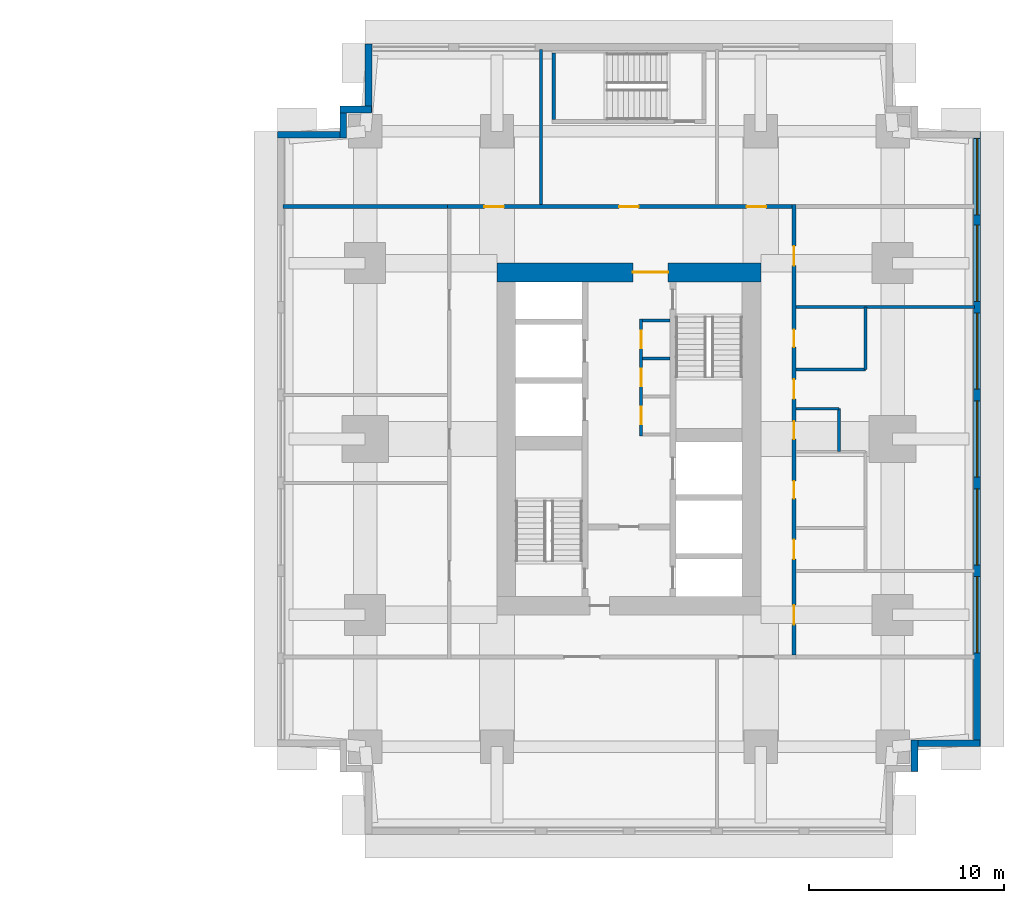
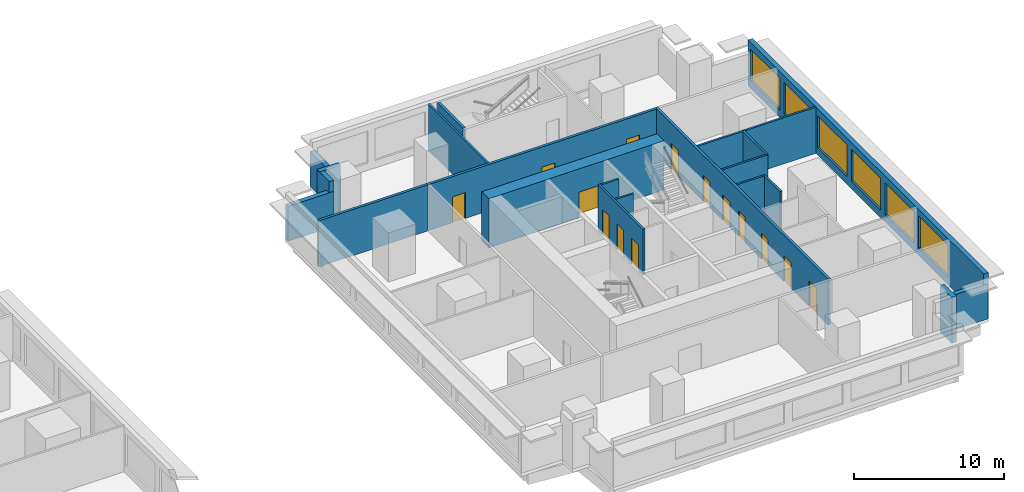
# One storey, part 7 of 11: 21 walls, 14 doors, 6 windows, 20 openings.
"""IFC4 building model written with IfcOpenShell, lengths in metres."""

from ifc_helpers import new_model, si_unit, direction, frame, frame_2d, origin, place, context, subcontext, project, spatial, rectangle, extrude, material, layer, layer_set, type_object, element, fill, save


model = new_model("IFC4")

# Units and contexts
model_context = context("Model", 3, precision=1e-05, world=origin(), true_north=direction((0.0, 1.0)))
body_context = subcontext(model_context, "Body", "Model", "MODEL_VIEW")
ifc_project = project(units=[si_unit("LENGTHUNIT", "METRE"), si_unit("AREAUNIT", "SQUARE_METRE"), si_unit("VOLUMEUNIT", "CUBIC_METRE"), si_unit("PLANEANGLEUNIT", "RADIAN"), si_unit("MASSUNIT", "GRAM", prefix="KILO")], contexts=[model_context])

# Site, building, storey
site_placement = place(None, origin())
site = spatial("IfcSite", under=ifc_project, at=site_placement, CompositionType="ELEMENT")
building_placement = place(site_placement, origin())
building = spatial("IfcBuilding", under=site, at=building_placement, Name="Namib Vertical Campus", CompositionType="ELEMENT")
storey_placement = place(building_placement, frame((0.0, 0.0, 49.0)))
storey = spatial("IfcBuildingStorey", under=building, at=storey_placement, Name="L11", CompositionType="ELEMENT", Elevation=49.0)

# Wall, opening, door
ifc_material_1 = material(Name="Concrete C60/75", Category="concrete")
ifc_layer_1 = layer(ifc_material_1, 0.949951171875)
ifc_layer_set_1 = layer_set([ifc_layer_1], Name="Concrete C60/75")
wall_type_1 = type_object("IfcWallType", Name="Core wall 950", PredefinedType="SHEAR", material=ifc_layer_set_1)
wall_1_placement = place(storey_placement, frame((87.75, 28.77490234375, 0.0), z_axis=(0.0, 0.0, 1.0), x_axis=(-1.0, 0.0, 0.0)))
wall_1 = element("IfcWall", 1, at=wall_1_placement, inside=storey, type_object=wall_type_1, Name="Core wall B L11 3", PredefinedType="SHEAR", context=body_context, shape_type="SweptSolid", body=[
    extrude(rectangle(XDim=13.5, YDim=0.949951171875, at=frame_2d((6.75, 0.0))), origin(), (0.0, 0.0, 1.0), 4.0),
])
opening_1_placement = place(wall_1_placement, frame((4.75, 0.0, 0.0)))
opening_1 = element("IfcOpeningElement", 2, at=opening_1_placement, cuts=wall_1, Name="Opening FD2", PredefinedType="OPENING", context=body_context, shape_type="SweptSolid", body=[
    extrude(rectangle(XDim=1.800048828125, YDim=2.10009765625, at=frame_2d((0.89990234375, 1.050048828125))), frame((0.0, 0.48486328125, 0.0), z_axis=(0.0, -1.0, 0.0), x_axis=(1.0, 0.0, 0.0)), (0.0, 0.0, 1.0), 0.969970703125),
])
ifc_material_2 = material(Name="Steel fire door", Category="steel")
door_type_1 = type_object("IfcDoorType", Name="Fire door double 1800x2100", OperationType="DOUBLE_DOOR_SINGLE_SWING", PredefinedType="DOOR", material=ifc_material_2)
door_1_placement = place(opening_1_placement, origin())
door_1 = element("IfcDoor", 3, at=door_1_placement, inside=storey, type_object=door_type_1, Name="Lift lobby door FD2 B L11", OperationType="DOUBLE_DOOR_SINGLE_SWING", OverallHeight=2.10009765625, OverallWidth=1.800048828125, PredefinedType="DOOR", context=body_context, shape_type="SweptSolid", body=[
    extrude(rectangle(XDim=1.800048828125, YDim=2.10009765625, at=frame_2d((0.89990234375, 1.050048828125))), frame((0.0, 0.02490234375, 0.0), z_axis=(0.0, -1.0, 0.0), x_axis=(1.0, 0.0, 0.0)), (0.0, 0.0, 1.0), 0.050048828125),
])
fill(opening_1, door_1)

# Wall, openings, doors
ifc_material_3 = material(Name="Concrete masonry", Category="masonry")
ifc_layer_2 = layer(ifc_material_3, 0.199951171875)
ifc_layer_set_2 = layer_set([ifc_layer_2], Name="Corridor wall 200")
wall_type_2 = type_object("IfcWallType", Name="Corridor wall 200", PredefinedType="SOLIDWALL", material=ifc_layer_set_2)
wall_2_placement = place(storey_placement, frame((89.449951171875, 9.199951171875, 0.0), z_axis=(0.0, 0.0, 1.0), x_axis=(0.0, 1.0, 0.0)))
wall_2 = element("IfcWall", 4, at=wall_2_placement, inside=storey, type_object=wall_type_2, Name="Corridor wall B L11 CE", PredefinedType="SOLIDWALL", context=body_context, shape_type="SweptSolid", body=[
    extrude(rectangle(XDim=23.050048828125, YDim=0.199951171875, at=frame_2d((11.52490234375, 0.0))), origin(), (0.0, 0.0, 1.0), 3.75),
])
opening_2_placement = place(wall_2_placement, frame((1.550048828125, 0.0, 0.0)))
opening_2 = element("IfcOpeningElement", 5, at=opening_2_placement, cuts=wall_2, Name="Opening CD1", PredefinedType="OPENING", context=body_context, shape_type="SweptSolid", body=[
    extrude(rectangle(XDim=1.0, YDim=2.10009765625, at=frame_2d((0.5, 1.050048828125))), frame((0.0, 0.10986328125, 0.0), z_axis=(0.0, -1.0, 0.0), x_axis=(1.0, 0.0, 0.0)), (0.0, 0.0, 1.0), 0.219970703125),
])
opening_3_placement = place(wall_2_placement, frame((4.89990234375, 0.0, 0.0)))
opening_3 = element("IfcOpeningElement", 6, at=opening_3_placement, cuts=wall_2, Name="Opening CD1", PredefinedType="OPENING", context=body_context, shape_type="SweptSolid", body=[
    extrude(rectangle(XDim=1.0, YDim=2.10009765625, at=frame_2d((0.5, 1.050048828125))), frame((0.0, 0.10986328125, 0.0), z_axis=(0.0, -1.0, 0.0), x_axis=(1.0, 0.0, 0.0)), (0.0, 0.0, 1.0), 0.219970703125),
])
opening_4_placement = place(wall_2_placement, frame((8.0, 0.0, 0.0)))
opening_4 = element("IfcOpeningElement", 7, at=opening_4_placement, cuts=wall_2, Name="Opening CD3", PredefinedType="OPENING", context=body_context, shape_type="SweptSolid", body=[
    extrude(rectangle(XDim=0.89990234375, YDim=2.10009765625, at=frame_2d((0.449951171875, 1.050048828125))), frame((0.0, 0.10986328125, 0.0), z_axis=(0.0, -1.0, 0.0), x_axis=(1.0, 0.0, 0.0)), (0.0, 0.0, 1.0), 0.219970703125),
])
opening_5_placement = place(wall_2_placement, frame((11.050048828125, 0.0, 0.0)))
opening_5 = element("IfcOpeningElement", 8, at=opening_5_placement, cuts=wall_2, Name="Opening CD3", PredefinedType="OPENING", context=body_context, shape_type="SweptSolid", body=[
    extrude(rectangle(XDim=0.89990234375, YDim=2.10009765625, at=frame_2d((0.449951171875, 1.050048828125))), frame((0.0, 0.10986328125, 0.0), z_axis=(0.0, -1.0, 0.0), x_axis=(1.0, 0.0, 0.0)), (0.0, 0.0, 1.0), 0.219970703125),
])
opening_6_placement = place(wall_2_placement, frame((15.75, 0.0, 0.0)))
opening_6 = element("IfcOpeningElement", 9, at=opening_6_placement, cuts=wall_2, Name="Opening CD3", PredefinedType="OPENING", context=body_context, shape_type="SweptSolid", body=[
    extrude(rectangle(XDim=0.89990234375, YDim=2.10009765625, at=frame_2d((0.449951171875, 1.050048828125))), frame((0.0, 0.10986328125, 0.0), z_axis=(0.0, -1.0, 0.0), x_axis=(1.0, 0.0, 0.0)), (0.0, 0.0, 1.0), 0.219970703125),
])
opening_7_placement = place(wall_2_placement, frame((13.10009765625, 0.0, 0.0)))
opening_7 = element("IfcOpeningElement", 10, at=opening_7_placement, cuts=wall_2, Name="Opening CD1", PredefinedType="OPENING", context=body_context, shape_type="SweptSolid", body=[
    extrude(rectangle(XDim=1.0, YDim=2.10009765625, at=frame_2d((0.5, 1.050048828125))), frame((0.0, 0.10986328125, 0.0), z_axis=(0.0, -1.0, 0.0), x_axis=(1.0, 0.0, 0.0)), (0.0, 0.0, 1.0), 0.219970703125),
])
opening_8_placement = place(wall_2_placement, frame((19.925048828125, 0.0, 0.0)))
opening_8 = element("IfcOpeningElement", 11, at=opening_8_placement, cuts=wall_2, Name="Opening CD1", PredefinedType="OPENING", context=body_context, shape_type="SweptSolid", body=[
    extrude(rectangle(XDim=1.0, YDim=2.10009765625, at=frame_2d((0.5, 1.050048828125))), frame((0.0, 0.10986328125, 0.0), z_axis=(0.0, -1.0, 0.0), x_axis=(1.0, 0.0, 0.0)), (0.0, 0.0, 1.0), 0.219970703125),
])
ifc_material_4 = material(Name="Timber fire door leaf", Category="wood")
door_type_2 = type_object("IfcDoorType", Name="Corridor door 1000x2100 20 min", OperationType="SINGLE_SWING_LEFT", PredefinedType="DOOR", material=ifc_material_4)
door_2_placement = place(opening_2_placement, frame((1.0, 0.0, 0.0), z_axis=(0.0, 0.0, 1.0), x_axis=(-1.0, 0.0, 0.0)))
door_2 = element("IfcDoor", 12, at=door_2_placement, inside=storey, type_object=door_type_2, Name="Door CD1 B11-03", OperationType="SINGLE_SWING_RIGHT", OverallHeight=2.10009765625, OverallWidth=1.0, PredefinedType="DOOR", context=body_context, shape_type="SweptSolid", body=[
    extrude(rectangle(XDim=1.0, YDim=2.10009765625, at=frame_2d((0.5, 1.050048828125))), frame((0.0, 0.02490234375, 0.0), z_axis=(0.0, -1.0, 0.0), x_axis=(1.0, 0.0, 0.0)), (0.0, 0.0, 1.0), 0.050048828125),
])
fill(opening_2, door_2)
door_3_placement = place(opening_3_placement, frame((1.0, 0.0, 0.0), z_axis=(0.0, 0.0, 1.0), x_axis=(-1.0, 0.0, 0.0)))
door_3 = element("IfcDoor", 13, at=door_3_placement, inside=storey, type_object=door_type_2, Name="Door CD1 B11-04", OperationType="SINGLE_SWING_RIGHT", OverallHeight=2.10009765625, OverallWidth=1.0, PredefinedType="DOOR", context=body_context, shape_type="SweptSolid", body=[
    extrude(rectangle(XDim=1.0, YDim=2.10009765625, at=frame_2d((0.5, 1.050048828125))), frame((0.0, 0.02490234375, 0.0), z_axis=(0.0, -1.0, 0.0), x_axis=(1.0, 0.0, 0.0)), (0.0, 0.0, 1.0), 0.050048828125),
])
fill(opening_3, door_3)
door_4_placement = place(opening_7_placement, frame((1.0, 0.0, 0.0), z_axis=(0.0, 0.0, 1.0), x_axis=(-1.0, 0.0, 0.0)))
door_4 = element("IfcDoor", 14, at=door_4_placement, inside=storey, type_object=door_type_2, Name="Door CD1 B11-08", OperationType="SINGLE_SWING_RIGHT", OverallHeight=2.10009765625, OverallWidth=1.0, PredefinedType="DOOR", context=body_context, shape_type="SweptSolid", body=[
    extrude(rectangle(XDim=1.0, YDim=2.10009765625, at=frame_2d((0.5, 1.050048828125))), frame((0.0, 0.02490234375, 0.0), z_axis=(0.0, -1.0, 0.0), x_axis=(1.0, 0.0, 0.0)), (0.0, 0.0, 1.0), 0.050048828125),
])
fill(opening_7, door_4)
door_5_placement = place(opening_8_placement, frame((1.0, 0.0, 0.0), z_axis=(0.0, 0.0, 1.0), x_axis=(-1.0, 0.0, 0.0)))
door_5 = element("IfcDoor", 15, at=door_5_placement, inside=storey, type_object=door_type_2, Name="Door CD1 B11-09", OperationType="SINGLE_SWING_RIGHT", OverallHeight=2.10009765625, OverallWidth=1.0, PredefinedType="DOOR", context=body_context, shape_type="SweptSolid", body=[
    extrude(rectangle(XDim=1.0, YDim=2.10009765625, at=frame_2d((0.5, 1.050048828125))), frame((0.0, 0.02490234375, 0.0), z_axis=(0.0, -1.0, 0.0), x_axis=(1.0, 0.0, 0.0)), (0.0, 0.0, 1.0), 0.050048828125),
])
fill(opening_8, door_5)
ifc_material_5 = material(Name="Timber fire door leaf", Category="wood")
door_type_3 = type_object("IfcDoorType", Name="Corridor toilet door 900x2100 20 min", OperationType="SINGLE_SWING_LEFT", PredefinedType="DOOR", material=ifc_material_5)
door_6_placement = place(opening_4_placement, frame((0.89990234375, 0.0, 0.0), z_axis=(0.0, 0.0, 1.0), x_axis=(-1.0, 0.0, 0.0)))
door_6 = element("IfcDoor", 16, at=door_6_placement, inside=storey, type_object=door_type_3, Name="Door CD3 B11-05", OperationType="SINGLE_SWING_RIGHT", OverallHeight=2.10009765625, OverallWidth=0.89990234375, PredefinedType="DOOR", context=body_context, shape_type="SweptSolid", body=[
    extrude(rectangle(XDim=0.89990234375, YDim=2.10009765625, at=frame_2d((0.449951171875, 1.050048828125))), frame((0.0, 0.02490234375, 0.0), z_axis=(0.0, -1.0, 0.0), x_axis=(1.0, 0.0, 0.0)), (0.0, 0.0, 1.0), 0.050048828125),
])
fill(opening_4, door_6)
door_7_placement = place(opening_5_placement, frame((0.89990234375, 0.0, 0.0), z_axis=(0.0, 0.0, 1.0), x_axis=(-1.0, 0.0, 0.0)))
door_7 = element("IfcDoor", 17, at=door_7_placement, inside=storey, type_object=door_type_3, Name="Door CD3 B11-06", OperationType="SINGLE_SWING_RIGHT", OverallHeight=2.10009765625, OverallWidth=0.89990234375, PredefinedType="DOOR", context=body_context, shape_type="SweptSolid", body=[
    extrude(rectangle(XDim=0.89990234375, YDim=2.10009765625, at=frame_2d((0.449951171875, 1.050048828125))), frame((0.0, 0.02490234375, 0.0), z_axis=(0.0, -1.0, 0.0), x_axis=(1.0, 0.0, 0.0)), (0.0, 0.0, 1.0), 0.050048828125),
])
fill(opening_5, door_7)
door_8_placement = place(opening_6_placement, frame((0.89990234375, 0.0, 0.0), z_axis=(0.0, 0.0, 1.0), x_axis=(-1.0, 0.0, 0.0)))
door_8 = element("IfcDoor", 18, at=door_8_placement, inside=storey, type_object=door_type_3, Name="Door CD3 B11-07", OperationType="SINGLE_SWING_RIGHT", OverallHeight=2.10009765625, OverallWidth=0.89990234375, PredefinedType="DOOR", context=body_context, shape_type="SweptSolid", body=[
    extrude(rectangle(XDim=0.89990234375, YDim=2.10009765625, at=frame_2d((0.449951171875, 1.050048828125))), frame((0.0, 0.02490234375, 0.0), z_axis=(0.0, -1.0, 0.0), x_axis=(1.0, 0.0, 0.0)), (0.0, 0.0, 1.0), 0.050048828125),
])
fill(opening_6, door_8)

wall_3_placement = place(storey_placement, frame((89.35009765625, 32.14990234375, 0.0), z_axis=(0.0, 0.0, 1.0), x_axis=(-1.0, 0.0, 0.0)))
wall_3 = element("IfcWall", 19, at=wall_3_placement, inside=storey, type_object=wall_type_2, Name="Corridor wall B L11 CN", PredefinedType="SOLIDWALL", context=body_context, shape_type="SweptSolid", body=[
    extrude(rectangle(XDim=17.650146484375, YDim=0.199951171875, at=frame_2d((8.8251953125, 0.0))), origin(), (0.0, 0.0, 1.0), 3.75),
])
opening_9_placement = place(wall_3_placement, frame((14.75, 0.0, 0.0)))
opening_9 = element("IfcOpeningElement", 20, at=opening_9_placement, cuts=wall_3, Name="Opening CD1", PredefinedType="OPENING", context=body_context, shape_type="SweptSolid", body=[
    extrude(rectangle(XDim=1.0, YDim=2.10009765625, at=frame_2d((0.5, 1.050048828125))), frame((0.0, 0.10986328125, 0.0), z_axis=(0.0, -1.0, 0.0), x_axis=(1.0, 0.0, 0.0)), (0.0, 0.0, 1.0), 0.219970703125),
])
opening_10_placement = place(wall_3_placement, frame((7.85009765625, 0.0, 0.0)))
opening_10 = element("IfcOpeningElement", 21, at=opening_10_placement, cuts=wall_3, Name="Opening CD1", PredefinedType="OPENING", context=body_context, shape_type="SweptSolid", body=[
    extrude(rectangle(XDim=1.0, YDim=2.10009765625, at=frame_2d((0.5, 1.050048828125))), frame((0.0, 0.10986328125, 0.0), z_axis=(0.0, -1.0, 0.0), x_axis=(1.0, 0.0, 0.0)), (0.0, 0.0, 1.0), 0.219970703125),
])
opening_11_placement = place(wall_3_placement, frame((1.324951171875, 0.0, 0.0)))
opening_11 = element("IfcOpeningElement", 22, at=opening_11_placement, cuts=wall_3, Name="Opening CD1", PredefinedType="OPENING", context=body_context, shape_type="SweptSolid", body=[
    extrude(rectangle(XDim=1.0, YDim=2.10009765625, at=frame_2d((0.5, 1.050048828125))), frame((0.0, 0.10986328125, 0.0), z_axis=(0.0, -1.0, 0.0), x_axis=(1.0, 0.0, 0.0)), (0.0, 0.0, 1.0), 0.219970703125),
])
door_9_placement = place(opening_9_placement, frame((1.0, 0.0, 0.0), z_axis=(0.0, 0.0, 1.0), x_axis=(-1.0, 0.0, 0.0)))
door_9 = element("IfcDoor", 23, at=door_9_placement, inside=storey, type_object=door_type_2, Name="Door CD1 B11-10", OperationType="SINGLE_SWING_RIGHT", OverallHeight=2.10009765625, OverallWidth=1.0, PredefinedType="DOOR", context=body_context, shape_type="SweptSolid", body=[
    extrude(rectangle(XDim=1.0, YDim=2.10009765625, at=frame_2d((0.5, 1.050048828125))), frame((0.0, 0.02490234375, 0.0), z_axis=(0.0, -1.0, 0.0), x_axis=(1.0, 0.0, 0.0)), (0.0, 0.0, 1.0), 0.050048828125),
])
fill(opening_9, door_9)
door_10_placement = place(opening_10_placement, frame((1.0, 0.0, 0.0), z_axis=(0.0, 0.0, 1.0), x_axis=(-1.0, 0.0, 0.0)))
door_10 = element("IfcDoor", 24, at=door_10_placement, inside=storey, type_object=door_type_2, Name="Door CD1 B11-11", OperationType="SINGLE_SWING_RIGHT", OverallHeight=2.10009765625, OverallWidth=1.0, PredefinedType="DOOR", context=body_context, shape_type="SweptSolid", body=[
    extrude(rectangle(XDim=1.0, YDim=2.10009765625, at=frame_2d((0.5, 1.050048828125))), frame((0.0, 0.02490234375, 0.0), z_axis=(0.0, -1.0, 0.0), x_axis=(1.0, 0.0, 0.0)), (0.0, 0.0, 1.0), 0.050048828125),
])
fill(opening_10, door_10)
door_11_placement = place(opening_11_placement, frame((1.0, 0.0, 0.0), z_axis=(0.0, 0.0, 1.0), x_axis=(-1.0, 0.0, 0.0)))
door_11 = element("IfcDoor", 25, at=door_11_placement, inside=storey, type_object=door_type_2, Name="Door CD1 B11-12", OperationType="SINGLE_SWING_LEFT", OverallHeight=2.10009765625, OverallWidth=1.0, PredefinedType="DOOR", context=body_context, shape_type="SweptSolid", body=[
    extrude(rectangle(XDim=1.0, YDim=2.10009765625, at=frame_2d((0.5, 1.050048828125))), frame((0.0, 0.02490234375, 0.0), z_axis=(0.0, -1.0, 0.0), x_axis=(1.0, 0.0, 0.0)), (0.0, 0.0, 1.0), 0.050048828125),
])
fill(opening_11, door_11)

# Walls
wall_4_placement = place(storey_placement, frame((63.300048828125, 32.14990234375, 0.0), z_axis=(0.0, 0.0, 1.0), x_axis=(1.0, 0.0, 0.0)))
element("IfcWall", 26, at=wall_4_placement, inside=storey, type_object=wall_type_2, Name="Partition B L11 BNW", PredefinedType="SOLIDWALL", context=body_context, shape_type="SweptSolid", body=[
    extrude(rectangle(XDim=8.39990234375, YDim=0.199951171875, at=frame_2d((4.199951171875, 0.0))), origin(), (0.0, 0.0, 1.0), 3.75),
])
ifc_material_6 = material(Name="Concrete C40/50", Category="concrete")
ifc_layer_3 = layer(ifc_material_6, 0.35009765625)
ifc_layer_set_3 = layer_set([ifc_layer_3], Name="Concrete C40/50")
wall_type_3 = type_object("IfcWallType", Name="External wall 350 bush-hammered concrete", PredefinedType="STANDARD", material=ifc_layer_set_3)
wall_5_placement = place(storey_placement, frame((95.625, 3.219970703125, 0.0), z_axis=(0.0, 0.0, 1.0), x_axis=(0.0, 1.0, 0.0)))
element("IfcWall", 27, at=wall_5_placement, inside=storey, type_object=wall_type_3, Name="External wall L11 F04", PredefinedType="STANDARD", context=body_context, shape_type="SweptSolid", body=[
    extrude(rectangle(XDim=1.610107421875, YDim=0.35009765625, at=frame_2d((0.80517578125, 0.0))), origin(), (0.0, 0.0, 1.0), 3.75),
])
wall_6_placement = place(storey_placement, frame((95.469970703125, 4.675048828125, 0.0), z_axis=(0.0, 0.0, 1.0), x_axis=(1.0, 0.0, 0.0)))
element("IfcWall", 28, at=wall_6_placement, inside=storey, type_object=wall_type_3, Name="External wall L11 F05", PredefinedType="STANDARD", context=body_context, shape_type="SweptSolid", body=[
    extrude(rectangle(XDim=3.510009765625, YDim=0.35009765625, at=frame_2d((1.7548828125, 0.0))), origin(), (0.0, 0.0, 1.0), 2.85009765625),
])

# Wall, openings, windows
wall_7_placement = place(storey_placement, frame((98.824951171875, 4.52001953125, 0.0), z_axis=(0.0, 0.0, 1.0), x_axis=(0.0, 1.0, 0.0)))
wall_7 = element("IfcWall", 29, at=wall_7_placement, inside=storey, type_object=wall_type_3, Name="External wall L11 F06", PredefinedType="STANDARD", context=body_context, shape_type="SweptSolid", body=[
    extrude(rectangle(XDim=31.4599609375, YDim=0.35009765625, at=frame_2d((15.72998046875, 0.0))), origin(), (0.0, 0.0, 1.0), 3.75),
])
opening_12_placement = place(wall_7_placement, frame((4.780029296875, 0.0, 0.60009765625)))
opening_12 = element("IfcOpeningElement", 30, at=opening_12_placement, cuts=wall_7, Name="Opening W2", PredefinedType="OPENING", context=body_context, shape_type="SweptSolid", body=[
    extrude(rectangle(XDim=3.89990234375, YDim=2.60009765625, at=frame_2d((1.949951171875, 1.300048828125))), frame((0.0, 0.18505859375, 0.0), z_axis=(0.0, -1.0, 0.0), x_axis=(1.0, 0.0, 0.0)), (0.0, 0.0, 1.0), 0.3701171875),
])
opening_13_placement = place(wall_7_placement, frame((9.280029296875, 0.0, 0.60009765625)))
opening_13 = element("IfcOpeningElement", 31, at=opening_13_placement, cuts=wall_7, Name="Opening W2", PredefinedType="OPENING", context=body_context, shape_type="SweptSolid", body=[
    extrude(rectangle(XDim=3.89990234375, YDim=2.60009765625, at=frame_2d((1.949951171875, 1.300048828125))), frame((0.0, 0.18505859375, 0.0), z_axis=(0.0, -1.0, 0.0), x_axis=(1.0, 0.0, 0.0)), (0.0, 0.0, 1.0), 0.3701171875),
])
opening_14_placement = place(wall_7_placement, frame((13.780029296875, 0.0, 0.60009765625)))
opening_14 = element("IfcOpeningElement", 32, at=opening_14_placement, cuts=wall_7, Name="Opening W2", PredefinedType="OPENING", context=body_context, shape_type="SweptSolid", body=[
    extrude(rectangle(XDim=3.89990234375, YDim=2.60009765625, at=frame_2d((1.949951171875, 1.300048828125))), frame((0.0, 0.18505859375, 0.0), z_axis=(0.0, -1.0, 0.0), x_axis=(1.0, 0.0, 0.0)), (0.0, 0.0, 1.0), 0.3701171875),
])
opening_15_placement = place(wall_7_placement, frame((18.280029296875, 0.0, 0.60009765625)))
opening_15 = element("IfcOpeningElement", 33, at=opening_15_placement, cuts=wall_7, Name="Opening W2", PredefinedType="OPENING", context=body_context, shape_type="SweptSolid", body=[
    extrude(rectangle(XDim=3.89990234375, YDim=2.60009765625, at=frame_2d((1.949951171875, 1.300048828125))), frame((0.0, 0.18505859375, 0.0), z_axis=(0.0, -1.0, 0.0), x_axis=(1.0, 0.0, 0.0)), (0.0, 0.0, 1.0), 0.3701171875),
])
opening_16_placement = place(wall_7_placement, frame((22.780029296875, 0.0, 0.60009765625)))
opening_16 = element("IfcOpeningElement", 34, at=opening_16_placement, cuts=wall_7, Name="Opening W2", PredefinedType="OPENING", context=body_context, shape_type="SweptSolid", body=[
    extrude(rectangle(XDim=3.89990234375, YDim=2.60009765625, at=frame_2d((1.949951171875, 1.300048828125))), frame((0.0, 0.18505859375, 0.0), z_axis=(0.0, -1.0, 0.0), x_axis=(1.0, 0.0, 0.0)), (0.0, 0.0, 1.0), 0.3701171875),
])
opening_17_placement = place(wall_7_placement, frame((27.2099609375, 0.0, 0.60009765625)))
opening_17 = element("IfcOpeningElement", 35, at=opening_17_placement, cuts=wall_7, Name="Opening W2", PredefinedType="OPENING", context=body_context, shape_type="SweptSolid", body=[
    extrude(rectangle(XDim=3.89990234375, YDim=2.60009765625, at=frame_2d((1.949951171875, 1.300048828125))), frame((0.0, 0.18505859375, 0.0), z_axis=(0.0, -1.0, 0.0), x_axis=(1.0, 0.0, 0.0)), (0.0, 0.0, 1.0), 0.3701171875),
])
ifc_material_7 = material(Name="Dark tinted glass in black aluminium frame", Category="aluminium")
window_type = type_object("IfcWindowType", Name="Ribbon window 3900x2600", PartitioningType="SINGLE_PANEL", PredefinedType="WINDOW", material=ifc_material_7)
window_1_placement = place(opening_12_placement, origin())
window_1 = element("IfcWindow", 36, at=window_1_placement, inside=storey, type_object=window_type, Name="Window W2 L11 F06-2", OverallHeight=2.60009765625, OverallWidth=3.89990234375, PartitioningType="SINGLE_PANEL", PredefinedType="WINDOW", context=body_context, shape_type="SweptSolid", body=[
    extrude(rectangle(XDim=3.89990234375, YDim=2.60009765625, at=frame_2d((1.949951171875, 1.300048828125))), frame((0.0, 0.030029296875, 0.0), z_axis=(0.0, -1.0, 0.0), x_axis=(1.0, 0.0, 0.0)), (0.0, 0.0, 1.0), 0.06005859375),
])
fill(opening_12, window_1)
window_2_placement = place(opening_13_placement, origin())
window_2 = element("IfcWindow", 37, at=window_2_placement, inside=storey, type_object=window_type, Name="Window W2 L11 F06-3", OverallHeight=2.60009765625, OverallWidth=3.89990234375, PartitioningType="SINGLE_PANEL", PredefinedType="WINDOW", context=body_context, shape_type="SweptSolid", body=[
    extrude(rectangle(XDim=3.89990234375, YDim=2.60009765625, at=frame_2d((1.949951171875, 1.300048828125))), frame((0.0, 0.030029296875, 0.0), z_axis=(0.0, -1.0, 0.0), x_axis=(1.0, 0.0, 0.0)), (0.0, 0.0, 1.0), 0.06005859375),
])
fill(opening_13, window_2)
window_3_placement = place(opening_14_placement, origin())
window_3 = element("IfcWindow", 38, at=window_3_placement, inside=storey, type_object=window_type, Name="Window W2 L11 F06-4", OverallHeight=2.60009765625, OverallWidth=3.89990234375, PartitioningType="SINGLE_PANEL", PredefinedType="WINDOW", context=body_context, shape_type="SweptSolid", body=[
    extrude(rectangle(XDim=3.89990234375, YDim=2.60009765625, at=frame_2d((1.949951171875, 1.300048828125))), frame((0.0, 0.030029296875, 0.0), z_axis=(0.0, -1.0, 0.0), x_axis=(1.0, 0.0, 0.0)), (0.0, 0.0, 1.0), 0.06005859375),
])
fill(opening_14, window_3)
window_4_placement = place(opening_15_placement, origin())
window_4 = element("IfcWindow", 39, at=window_4_placement, inside=storey, type_object=window_type, Name="Window W2 L11 F06-5", OverallHeight=2.60009765625, OverallWidth=3.89990234375, PartitioningType="SINGLE_PANEL", PredefinedType="WINDOW", context=body_context, shape_type="SweptSolid", body=[
    extrude(rectangle(XDim=3.89990234375, YDim=2.60009765625, at=frame_2d((1.949951171875, 1.300048828125))), frame((0.0, 0.030029296875, 0.0), z_axis=(0.0, -1.0, 0.0), x_axis=(1.0, 0.0, 0.0)), (0.0, 0.0, 1.0), 0.06005859375),
])
fill(opening_15, window_4)
window_5_placement = place(opening_16_placement, origin())
window_5 = element("IfcWindow", 40, at=window_5_placement, inside=storey, type_object=window_type, Name="Window W2 L11 F06-6", OverallHeight=2.60009765625, OverallWidth=3.89990234375, PartitioningType="SINGLE_PANEL", PredefinedType="WINDOW", context=body_context, shape_type="SweptSolid", body=[
    extrude(rectangle(XDim=3.89990234375, YDim=2.60009765625, at=frame_2d((1.949951171875, 1.300048828125))), frame((0.0, 0.030029296875, 0.0), z_axis=(0.0, -1.0, 0.0), x_axis=(1.0, 0.0, 0.0)), (0.0, 0.0, 1.0), 0.06005859375),
])
fill(opening_16, window_5)
window_6_placement = place(opening_17_placement, origin())
window_6 = element("IfcWindow", 41, at=window_6_placement, inside=storey, type_object=window_type, Name="Window W2 L11 F06-7", OverallHeight=2.60009765625, OverallWidth=3.89990234375, PartitioningType="SINGLE_PANEL", PredefinedType="WINDOW", context=body_context, shape_type="SweptSolid", body=[
    extrude(rectangle(XDim=3.89990234375, YDim=2.60009765625, at=frame_2d((1.949951171875, 1.300048828125))), frame((0.0, 0.030029296875, 0.0), z_axis=(0.0, -1.0, 0.0), x_axis=(1.0, 0.0, 0.0)), (0.0, 0.0, 1.0), 0.06005859375),
])
fill(opening_17, window_6)

# Walls
wall_8_placement = place(storey_placement, frame((67.675048828125, 40.47998046875, 0.0), z_axis=(0.0, 0.0, 1.0), x_axis=(0.0, -1.0, 0.0)))
element("IfcWall", 42, at=wall_8_placement, inside=storey, type_object=wall_type_3, Name="External wall L11 F12", PredefinedType="STANDARD", context=body_context, shape_type="SweptSolid", body=[
    extrude(rectangle(XDim=3.510009765625, YDim=0.35009765625, at=frame_2d((1.7548828125, 0.0))), origin(), (0.0, 0.0, 1.0), 2.85009765625),
])
for number, where, z_axis, x_axis, name in (
    (43, (67.830078125, 37.125, 0.0), (0.0, 0.0, 1.0), (-1.0, 0.0, 0.0), "External wall L11 F13"),
    (44, (66.375, 37.280029296875, 0.0), (0.0, 0.0, 1.0), (0.0, -1.0, 0.0), "External wall L11 F14"),
):
    element("IfcWall", number, at=place(storey_placement, frame(where, z_axis=z_axis, x_axis=x_axis)), inside=storey, type_object=wall_type_3, Name=name, PredefinedType="STANDARD", context=body_context, shape_type="SweptSolid", body=[
        extrude(rectangle(XDim=1.610107421875, YDim=0.35009765625, at=frame_2d((0.80517578125, 0.0))), origin(), (0.0, 0.0, 1.0), 3.75),
    ])
wall_9_placement = place(storey_placement, frame((66.530029296875, 35.824951171875, 0.0), z_axis=(0.0, 0.0, 1.0), x_axis=(-1.0, 0.0, 0.0)))
element("IfcWall", 45, at=wall_9_placement, inside=storey, type_object=wall_type_3, Name="External wall L11 F15", PredefinedType="STANDARD", context=body_context, shape_type="SweptSolid", body=[
    extrude(rectangle(XDim=3.510009765625, YDim=0.35009765625, at=frame_2d((1.7548828125, 0.0))), origin(), (0.0, 0.0, 1.0), 2.85009765625),
])

# Wall, openings, doors
ifc_material_8 = material(Name="Gypsum board on steel studs", Category="steel")
ifc_layer_4 = layer(ifc_material_8, 0.14990234375)
ifc_layer_set_4 = layer_set([ifc_layer_4], Name="Gypsum board on steel studs")
wall_type_4 = type_object("IfcWallType", Name="Partition 150", PredefinedType="PARTITIONING", material=ifc_layer_set_4)
wall_10_placement = place(storey_placement, frame((81.625, 20.39990234375, 0.0), z_axis=(0.0, 0.0, 1.0), x_axis=(0.0, 1.0, 0.0)))
wall_10 = element("IfcWall", 46, at=wall_10_placement, inside=storey, type_object=wall_type_4, Name="Partition B L11 Records store and Cleaners' store and Linen store front", PredefinedType="PARTITIONING", context=body_context, shape_type="SweptSolid", body=[
    extrude(rectangle(XDim=6.0, YDim=0.14990234375, at=frame_2d((3.0, 0.0))), origin(), (0.0, 0.0, 1.0), 3.75),
])
opening_18_placement = place(wall_10_placement, frame((0.60009765625, 0.0, 0.0)))
opening_18 = element("IfcOpeningElement", 47, at=opening_18_placement, cuts=wall_10, Name="Opening D3", PredefinedType="OPENING", context=body_context, shape_type="SweptSolid", body=[
    extrude(rectangle(XDim=0.89990234375, YDim=2.10009765625, at=frame_2d((0.449951171875, 1.050048828125))), frame((0.0, 0.0849609375, 0.0), z_axis=(0.0, -1.0, 0.0), x_axis=(1.0, 0.0, 0.0)), (0.0, 0.0, 1.0), 0.169921875),
])
opening_19_placement = place(wall_10_placement, frame((2.550048828125, 0.0, 0.0)))
opening_19 = element("IfcOpeningElement", 48, at=opening_19_placement, cuts=wall_10, Name="Opening D3", PredefinedType="OPENING", context=body_context, shape_type="SweptSolid", body=[
    extrude(rectangle(XDim=0.89990234375, YDim=2.10009765625, at=frame_2d((0.449951171875, 1.050048828125))), frame((0.0, 0.0849609375, 0.0), z_axis=(0.0, -1.0, 0.0), x_axis=(1.0, 0.0, 0.0)), (0.0, 0.0, 1.0), 0.169921875),
])
opening_20_placement = place(wall_10_placement, frame((4.5, 0.0, 0.0)))
opening_20 = element("IfcOpeningElement", 49, at=opening_20_placement, cuts=wall_10, Name="Opening D3", PredefinedType="OPENING", context=body_context, shape_type="SweptSolid", body=[
    extrude(rectangle(XDim=0.89990234375, YDim=2.10009765625, at=frame_2d((0.449951171875, 1.050048828125))), frame((0.0, 0.0849609375, 0.0), z_axis=(0.0, -1.0, 0.0), x_axis=(1.0, 0.0, 0.0)), (0.0, 0.0, 1.0), 0.169921875),
])
ifc_material_9 = material(Name="Timber door leaf", Category="wood")
door_type_4 = type_object("IfcDoorType", Name="Toilet door 900x2100", OperationType="SINGLE_SWING_LEFT", PredefinedType="DOOR", material=ifc_material_9)
door_12_placement = place(opening_18_placement, frame((0.89990234375, 0.0, 0.0), z_axis=(0.0, 0.0, 1.0), x_axis=(-1.0, 0.0, 0.0)))
door_12 = element("IfcDoor", 50, at=door_12_placement, inside=storey, type_object=door_type_4, Name="Door D3 Records store B L11", OperationType="SINGLE_SWING_RIGHT", OverallHeight=2.10009765625, OverallWidth=0.89990234375, PredefinedType="DOOR", context=body_context, shape_type="SweptSolid", body=[
    extrude(rectangle(XDim=0.89990234375, YDim=2.10009765625, at=frame_2d((0.449951171875, 1.050048828125))), frame((0.0, 0.02490234375, 0.0), z_axis=(0.0, -1.0, 0.0), x_axis=(1.0, 0.0, 0.0)), (0.0, 0.0, 1.0), 0.050048828125),
])
fill(opening_18, door_12)
door_13_placement = place(opening_19_placement, frame((0.89990234375, 0.0, 0.0), z_axis=(0.0, 0.0, 1.0), x_axis=(-1.0, 0.0, 0.0)))
door_13 = element("IfcDoor", 51, at=door_13_placement, inside=storey, type_object=door_type_4, Name="Door D3 Cleaners' store B L11", OperationType="SINGLE_SWING_RIGHT", OverallHeight=2.10009765625, OverallWidth=0.89990234375, PredefinedType="DOOR", context=body_context, shape_type="SweptSolid", body=[
    extrude(rectangle(XDim=0.89990234375, YDim=2.10009765625, at=frame_2d((0.449951171875, 1.050048828125))), frame((0.0, 0.02490234375, 0.0), z_axis=(0.0, -1.0, 0.0), x_axis=(1.0, 0.0, 0.0)), (0.0, 0.0, 1.0), 0.050048828125),
])
fill(opening_19, door_13)
door_14_placement = place(opening_20_placement, frame((0.89990234375, 0.0, 0.0), z_axis=(0.0, 0.0, 1.0), x_axis=(-1.0, 0.0, 0.0)))
door_14 = element("IfcDoor", 52, at=door_14_placement, inside=storey, type_object=door_type_4, Name="Door D3 Linen store B L11", OperationType="SINGLE_SWING_RIGHT", OverallHeight=2.10009765625, OverallWidth=0.89990234375, PredefinedType="DOOR", context=body_context, shape_type="SweptSolid", body=[
    extrude(rectangle(XDim=0.89990234375, YDim=2.10009765625, at=frame_2d((0.449951171875, 1.050048828125))), frame((0.0, 0.02490234375, 0.0), z_axis=(0.0, -1.0, 0.0), x_axis=(1.0, 0.0, 0.0)), (0.0, 0.0, 1.0), 0.050048828125),
])
fill(opening_20, door_14)

# Walls
for number, where, z_axis, x_axis, name in (
    (53, (81.699951171875, 24.375, 0.0), (0.0, 0.0, 1.0), (1.0, 0.0, 0.0), "Partition B L11 Records store and Cleaners' store and Linen store division 3"),
    (54, (81.699951171875, 26.324951171875, 0.0), (0.0, 0.0, 1.0), (1.0, 0.0, 0.0), "Partition B L11 Records store and Cleaners' store and Linen store end 4"),
):
    element("IfcWall", number, at=place(storey_placement, frame(where, z_axis=z_axis, x_axis=x_axis)), inside=storey, type_object=wall_type_4, Name=name, PredefinedType="PARTITIONING", context=body_context, shape_type="SweptSolid", body=[
        extrude(rectangle(XDim=1.400146484375, YDim=0.14990234375, at=frame_2d((0.7001953125, 0.0))), origin(), (0.0, 0.0, 1.0), 3.75),
    ])
wall_11_placement = place(storey_placement, frame((76.5, 32.25, 0.0), z_axis=(0.0, 0.0, 1.0), x_axis=(0.0, 1.0, 0.0)))
element("IfcWall", 55, at=wall_11_placement, inside=storey, type_object=wall_type_4, Name="Partition B L11 PN1", PredefinedType="PARTITIONING", context=body_context, shape_type="SweptSolid", body=[
    extrude(rectangle(XDim=7.949951171875, YDim=0.14990234375, at=frame_2d((3.97509765625, 0.0))), origin(), (0.0, 0.0, 1.0), 3.75),
])
wall_12_placement = place(storey_placement, frame((89.550048828125, 27.0, 0.0), z_axis=(0.0, 0.0, 1.0), x_axis=(1.0, 0.0, 0.0)))
element("IfcWall", 56, at=wall_12_placement, inside=storey, type_object=wall_type_4, Name="Partition B L11 PE2", PredefinedType="PARTITIONING", context=body_context, shape_type="SweptSolid", body=[
    extrude(rectangle(XDim=9.14990234375, YDim=0.14990234375, at=frame_2d((4.574951171875, 0.0))), origin(), (0.0, 0.0, 1.0), 3.75),
])
wall_13_placement = place(storey_placement, frame((89.550048828125, 21.800048828125, 0.0), z_axis=(0.0, 0.0, 1.0), x_axis=(1.0, 0.0, 0.0)))
element("IfcWall", 57, at=wall_13_placement, inside=storey, type_object=wall_type_4, Name="Partition B L11 WR3", PredefinedType="PARTITIONING", context=body_context, shape_type="SweptSolid", body=[
    extrude(rectangle(XDim=2.199951171875, YDim=0.14990234375, at=frame_2d((1.10009765625, 0.0))), origin(), (0.0, 0.0, 1.0), 3.75),
])
wall_14_placement = place(storey_placement, frame((89.550048828125, 23.800048828125, 0.0), z_axis=(0.0, 0.0, 1.0), x_axis=(1.0, 0.0, 0.0)))
element("IfcWall", 58, at=wall_14_placement, inside=storey, type_object=wall_type_4, Name="Partition B L11 WR4", PredefinedType="PARTITIONING", context=body_context, shape_type="SweptSolid", body=[
    extrude(rectangle(XDim=3.550048828125, YDim=0.14990234375, at=frame_2d((1.77490234375, 0.0))), origin(), (0.0, 0.0, 1.0), 3.75),
])
wall_15_placement = place(storey_placement, frame((91.75, 19.60009765625, 0.0), z_axis=(0.0, 0.0, 1.0), x_axis=(0.0, 1.0, 0.0)))
element("IfcWall", 59, at=wall_15_placement, inside=storey, type_object=wall_type_4, Name="Partition B L11 WB3", PredefinedType="PARTITIONING", context=body_context, shape_type="SweptSolid", body=[
    extrude(rectangle(XDim=2.199951171875, YDim=0.14990234375, at=frame_2d((1.10009765625, 0.0))), origin(), (0.0, 0.0, 1.0), 3.75),
])
wall_16_placement = place(storey_placement, frame((93.10009765625, 23.800048828125, 0.0), z_axis=(0.0, 0.0, 1.0), x_axis=(0.0, 1.0, 0.0)))
element("IfcWall", 60, at=wall_16_placement, inside=storey, type_object=wall_type_4, Name="Partition B L11 WB4", PredefinedType="PARTITIONING", context=body_context, shape_type="SweptSolid", body=[
    extrude(rectangle(XDim=3.199951171875, YDim=0.14990234375, at=frame_2d((1.60009765625, 0.0))), origin(), (0.0, 0.0, 1.0), 3.75),
])
ifc_material_10 = material(Name="Concrete C40/50", Category="concrete")
ifc_layer_5 = layer(ifc_material_10, 0.199951171875)
ifc_layer_set_5 = layer_set([ifc_layer_5], Name="Concrete C40/50")
wall_type_5 = type_object("IfcWallType", Name="Stair enclosure wall RC 200", PredefinedType="SOLIDWALL", material=ifc_layer_set_5)
wall_17_placement = place(storey_placement, frame((77.14990234375, 36.60009765625, 0.0), z_axis=(0.0, 0.0, 1.0), x_axis=(0.0, 1.0, 0.0)))
element("IfcWall", 61, at=wall_17_placement, inside=storey, type_object=wall_type_5, Name="Stair enclosure wall B-S3 L11 W", PredefinedType="SOLIDWALL", context=body_context, shape_type="SweptSolid", body=[
    extrude(rectangle(XDim=3.39990234375, YDim=0.199951171875, at=frame_2d((1.699951171875, 0.0))), origin(), (0.0, 0.0, 1.0), 3.75),
])

save(model, "model.ifc")
